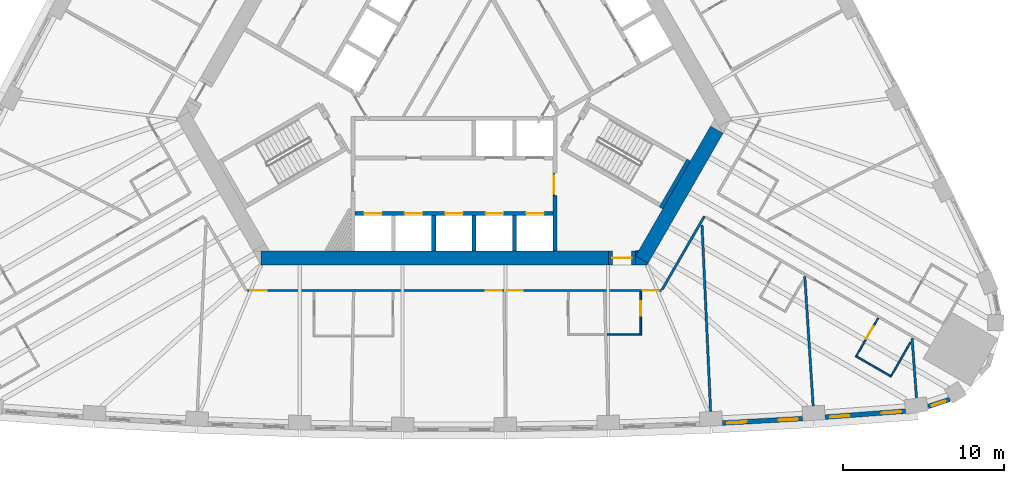
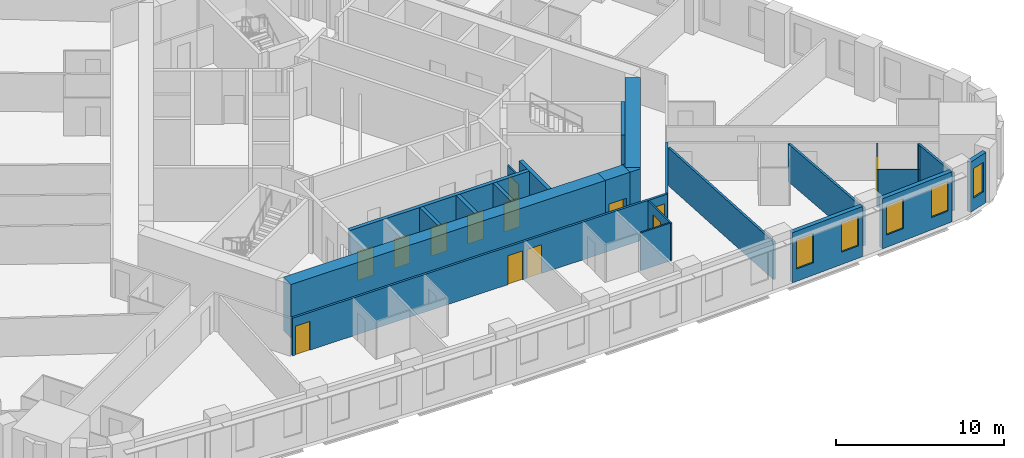
# One storey, part 6 of 12: 25 walls, 13 doors, 5 windows, 18 openings.
"""IFC4 building model written with IfcOpenShell, lengths in metres."""

from ifc_helpers import new_model, si_unit, direction, frame, frame_2d, origin, place, context, subcontext, project, spatial, polyline, rectangle, outline, extrude, material, layer, layer_set, type_object, element, fill, save


model = new_model("IFC4")

# Units and contexts
model_context = context("Model", 3, precision=1e-05, world=origin(), true_north=direction((0.0, 1.0)))
body_context = subcontext(model_context, "Body", "Model", "MODEL_VIEW")
ifc_project = project(units=[si_unit("LENGTHUNIT", "METRE"), si_unit("AREAUNIT", "SQUARE_METRE"), si_unit("VOLUMEUNIT", "CUBIC_METRE"), si_unit("PLANEANGLEUNIT", "RADIAN"), si_unit("MASSUNIT", "GRAM", prefix="KILO")], contexts=[model_context])

# Site, building, storey
site_placement = place(None, origin())
site = spatial("IfcSite", under=ifc_project, at=site_placement, CompositionType="ELEMENT")
building_placement = place(site_placement, origin())
building = spatial("IfcBuilding", under=site, at=building_placement, Name="Mestral Congress Tower", CompositionType="ELEMENT")
storey_placement = place(building_placement, frame((0.0, 0.0, 66.60009765625)))
storey = spatial("IfcBuildingStorey", under=building, at=storey_placement, Name="L15", CompositionType="ELEMENT", Elevation=66.60009765625)

# Wall, opening, door
ifc_material_1 = material(Name="Fire-rated board partition")
ifc_layer_1 = layer(ifc_material_1, 0.090087890625)
ifc_layer_set_1 = layer_set([ifc_layer_1], Name="Fire-rated board partition")
wall_type_1 = type_object("IfcWallType", Name="Core partition 150 door-wall 90", PredefinedType="PARTITIONING", material=ifc_layer_set_1)
wall_1_placement = place(storey_placement, frame((6.219970703125, -7.266357421875, 0.0), z_axis=(0.0, 0.0, 1.0), x_axis=(0.0, -1.0, 0.0)))
wall_1 = element("IfcWall", 1, at=wall_1_placement, inside=storey, type_object=wall_type_1, Name="L15 door wall", PredefinedType="PARTITIONING", context=body_context, shape_type="SweptSolid", body=[
    extrude(rectangle(XDim=1.400146484375, YDim=0.090087890625, at=frame_2d((0.7001953125, 0.0))), origin(), (0.0, 0.0, 1.0), 2.75),
])
opening_1_placement = place(wall_1_placement, frame((0.10009765625, 0.0, 0.0)))
opening_1 = element("IfcOpeningElement", 2, at=opening_1_placement, cuts=wall_1, Name="Opening LB0-WL1", PredefinedType="OPENING", context=body_context, shape_type="SweptSolid", body=[
    extrude(rectangle(XDim=1.199951171875, YDim=2.10009765625, at=frame_2d((0.60009765625, 1.050048828125))), frame((0.0, 0.054931640625, 0.0), z_axis=(0.0, -1.0, 0.0), x_axis=(1.0, 0.0, 0.0)), (0.0, 0.0, 1.0), 0.110107421875),
])
ifc_material_2 = material(Name="Fire-rated steel door set", Category="steel")
door_type_1 = type_object("IfcDoorType", Name="Core door LB 1200x2100", OperationType="SINGLE_SWING_LEFT", PredefinedType="DOOR", material=ifc_material_2)
door_1_placement = place(opening_1_placement, origin())
door_1 = element("IfcDoor", 3, at=door_1_placement, inside=storey, type_object=door_type_1, Name="Door LB0-WL1", OperationType="SINGLE_SWING_LEFT", OverallHeight=2.10009765625, OverallWidth=1.199951171875, PredefinedType="DOOR", context=body_context, shape_type="SweptSolid", body=[
    extrude(rectangle(XDim=1.199951171875, YDim=2.10009765625, at=frame_2d((0.60009765625, 1.050048828125))), frame((0.0, 0.02490234375, 0.0), z_axis=(0.0, -1.0, 0.0), x_axis=(1.0, 0.0, 0.0)), (0.0, 0.0, 1.0), 0.050048828125),
])
fill(opening_1, door_1)

# Walls
ifc_material_3 = material(Name="Concrete C60/75", Category="concrete")
ifc_layer_2 = layer(ifc_material_3, 0.89990234375)
ifc_layer_set_2 = layer_set([ifc_layer_2], Name="Concrete C60/75")
wall_type_2 = type_object("IfcWallType", Name="Core wall RC 900", PredefinedType="SOLIDWALL", material=ifc_layer_set_2)
wall_2_placement = place(storey_placement, frame((11.69482421875, -12.643798828125, 0.0), z_axis=(0.0, 0.0, 1.0), x_axis=(0.500010229568, 0.86601949766, 0.0)))
element("IfcWall", 4, at=wall_2_placement, inside=storey, type_object=wall_type_2, Name="L15 core wall", PredefinedType="SOLIDWALL", context=body_context, shape_type="SweptSolid", body=[
    extrude(rectangle(XDim=9.326416015625, YDim=0.89990234375, at=frame_2d((4.6630859375, 0.0))), origin(), (0.0, 0.0, 1.0), 3.89990234375),
])
placement = place(storey_placement, origin())
element("IfcWall", 5, at=placement, inside=storey, type_object=wall_type_2, Name="L15 core wall", PredefinedType="SOLIDWALL", context=body_context, shape_type="SweptSolid", body=[
    extrude(outline(polyline([(12.0087890625, -13.0), (11.31201171875, -13.0), (11.31201171875, -12.425048828125), (12.08349609375, -12.87060546875), (12.0087890625, -13.0)])), origin(), (0.0, 0.0, 1.0), 3.89990234375),
])
element("IfcWall", 6, at=placement, inside=storey, type_object=wall_type_2, Name="L15 core wall", PredefinedType="SOLIDWALL", context=body_context, shape_type="SweptSolid", body=[
    extrude(outline(polyline([(11.4892578125, -12.10009765625), (11.31201171875, -12.4072265625), (11.31201171875, -12.10009765625), (11.4892578125, -12.10009765625)])), origin(), (0.0, 0.0, 1.0), 3.89990234375),
])
wall_5_placement = place(storey_placement, frame((-12.0185546875, -12.550048828125, 0.0), z_axis=(0.0, 0.0, 1.0), x_axis=(1.0, 0.0, 0.0)))
element("IfcWall", 7, at=wall_5_placement, inside=storey, type_object=wall_type_2, Name="L15 core wall", PredefinedType="SOLIDWALL", context=body_context, shape_type="SweptSolid", body=[
    extrude(rectangle(XDim=21.63037109375, YDim=0.89990234375, at=frame_2d((10.815185546875, 0.0))), origin(), (0.0, 0.0, 1.0), 3.89990234375),
])

# Wall, opening, door
wall_6_placement = place(storey_placement, frame((11.311767578125, -12.550048828125, 0.0), z_axis=(0.0, 0.0, 1.0), x_axis=(-1.0, 0.0, 0.0)))
wall_6 = element("IfcWall", 8, at=wall_6_placement, inside=storey, type_object=wall_type_2, Name="L15 door wall", PredefinedType="SOLIDWALL", context=body_context, shape_type="SweptSolid", body=[
    extrude(rectangle(XDim=1.699951171875, YDim=0.89990234375, at=frame_2d((0.85009765625, 0.0))), origin(), (0.0, 0.0, 1.0), 3.89990234375),
])
opening_2_placement = place(wall_6_placement, frame((0.25, 0.0, 0.0)))
opening_2 = element("IfcOpeningElement", 9, at=opening_2_placement, cuts=wall_6, Name="Opening XD1", PredefinedType="OPENING", context=body_context, shape_type="SweptSolid", body=[
    extrude(rectangle(XDim=1.199951171875, YDim=2.10009765625, at=frame_2d((0.60009765625, 1.050048828125))), frame((0.0, 0.4599609375, 0.0), z_axis=(0.0, -1.0, 0.0), x_axis=(1.0, 0.0, 0.0)), (0.0, 0.0, 1.0), 0.919921875),
])
door_type_2 = type_object("IfcDoorType", Name="Core door XD 1200x2100", OperationType="SINGLE_SWING_LEFT", PredefinedType="DOOR", material=ifc_material_2)
door_2_placement = place(opening_2_placement, origin())
door_2 = element("IfcDoor", 10, at=door_2_placement, inside=storey, type_object=door_type_2, Name="Door XD1", OperationType="SINGLE_SWING_LEFT", OverallHeight=2.10009765625, OverallWidth=1.199951171875, PredefinedType="DOOR", context=body_context, shape_type="SweptSolid", body=[
    extrude(rectangle(XDim=1.199951171875, YDim=2.10009765625, at=frame_2d((0.60009765625, 1.050048828125))), frame((0.0, 0.02490234375, 0.0), z_axis=(0.0, -1.0, 0.0), x_axis=(1.0, 0.0, 0.0)), (0.0, 0.0, 1.0), 0.050048828125),
])
fill(opening_2, door_2)

# Wall, openings, windows
ifc_material_4 = material(Name="Precast concrete C40/50 with limestone facing", Category="masonry")
ifc_layer_3 = layer(ifc_material_4, 0.2900390625)
ifc_layer_set_3 = layer_set([ifc_layer_3], Name="Precast concrete C40/50 with limestone facing")
wall_type_3 = type_object("IfcWallType", Name="Facade stone wall 290", PredefinedType="SOLIDWALL", material=ifc_layer_set_3)
wall_7_placement = place(storey_placement, frame((16.7109375, -22.823974609375, 0.0), z_axis=(0.0, 0.0, 1.0), x_axis=(0.998464708705, 0.055391564976, 0.0)))
wall_7 = element("IfcWall", 11, at=wall_7_placement, inside=storey, type_object=wall_type_3, Name="Facade wall F0-07", PredefinedType="SOLIDWALL", context=body_context, shape_type="SweptSolid", body=[
    extrude(rectangle(XDim=4.998046875, YDim=0.2900390625, at=frame_2d((2.4990234375, 0.0))), origin(), (0.0, 0.0, 1.0), 3.64990234375),
])
opening_3_placement = place(wall_7_placement, frame((0.297119140625, 0.0, 0.89990234375)))
opening_3 = element("IfcOpeningElement", 12, at=opening_3_placement, cuts=wall_7, Name="Opening W1", PredefinedType="OPENING", context=body_context, shape_type="SweptSolid", body=[
    extrude(rectangle(XDim=1.199951171875, YDim=2.14990234375, at=frame_2d((0.60009765625, 1.074951171875))), frame((0.0, 0.155029296875, 0.0), z_axis=(0.0, -1.0, 0.0), x_axis=(1.0, 0.0, 0.0)), (0.0, 0.0, 1.0), 0.31005859375),
])
opening_4_placement = place(wall_7_placement, frame((3.501220703125, 0.0, 0.89990234375)))
opening_4 = element("IfcOpeningElement", 13, at=opening_4_placement, cuts=wall_7, Name="Opening W1", PredefinedType="OPENING", context=body_context, shape_type="SweptSolid", body=[
    extrude(rectangle(XDim=1.199951171875, YDim=2.14990234375, at=frame_2d((0.60009765625, 1.074951171875))), frame((0.0, 0.155029296875, 0.0), z_axis=(0.0, -1.0, 0.0), x_axis=(1.0, 0.0, 0.0)), (0.0, 0.0, 1.0), 0.31005859375),
])
ifc_material_5 = material(Name="Clear low-emissivity double glazing", Category="glass")
window_type_1 = type_object("IfcWindowType", Name="Facade punched window 1200 x 2150 sill 900", PartitioningType="DOUBLE_PANEL_VERTICAL", PredefinedType="WINDOW", material=ifc_material_5)
window_1_placement = place(opening_3_placement, origin())
window_1 = element("IfcWindow", 14, at=window_1_placement, inside=storey, type_object=window_type_1, Name="Window F0-07a", OverallHeight=2.14990234375, OverallWidth=1.199951171875, PartitioningType="DOUBLE_PANEL_VERTICAL", PredefinedType="WINDOW", context=body_context, shape_type="SweptSolid", body=[
    extrude(rectangle(XDim=1.199951171875, YDim=2.14990234375, at=frame_2d((0.60009765625, 1.074951171875))), frame((0.0, 0.01513671875, 0.0), z_axis=(0.0, -1.0, 0.0), x_axis=(1.0, 0.0, 0.0)), (0.0, 0.0, 1.0), 0.06005859375),
])
fill(opening_3, window_1)
window_2_placement = place(opening_4_placement, origin())
window_2 = element("IfcWindow", 15, at=window_2_placement, inside=storey, type_object=window_type_1, Name="Window F0-07b", OverallHeight=2.14990234375, OverallWidth=1.199951171875, PartitioningType="DOUBLE_PANEL_VERTICAL", PredefinedType="WINDOW", context=body_context, shape_type="SweptSolid", body=[
    extrude(rectangle(XDim=1.199951171875, YDim=2.14990234375, at=frame_2d((0.60009765625, 1.074951171875))), frame((0.0, 0.01513671875, 0.0), z_axis=(0.0, -1.0, 0.0), x_axis=(1.0, 0.0, 0.0)), (0.0, 0.0, 1.0), 0.06005859375),
])
fill(opening_4, window_2)

wall_8_placement = place(storey_placement, frame((23.10595703125, -22.4560546875, 0.0), z_axis=(0.0, 0.0, 1.0), x_axis=(0.997266290399, 0.073891447643, 0.0)))
wall_8 = element("IfcWall", 16, at=wall_8_placement, inside=storey, type_object=wall_type_3, Name="Facade wall F0-08", PredefinedType="SOLIDWALL", context=body_context, shape_type="SweptSolid", body=[
    extrude(rectangle(XDim=5.005615234375, YDim=0.2900390625, at=frame_2d((2.5029296875, 0.0))), origin(), (0.0, 0.0, 1.0), 3.64990234375),
])
opening_5_placement = place(wall_8_placement, frame((0.31005859375, 0.0, 0.89990234375)))
opening_5 = element("IfcOpeningElement", 17, at=opening_5_placement, cuts=wall_8, Name="Opening W1", PredefinedType="OPENING", context=body_context, shape_type="SweptSolid", body=[
    extrude(rectangle(XDim=1.199951171875, YDim=2.14990234375, at=frame_2d((0.60009765625, 1.074951171875))), frame((0.0, 0.155029296875, 0.0), z_axis=(0.0, -1.0, 0.0), x_axis=(1.0, 0.0, 0.0)), (0.0, 0.0, 1.0), 0.31005859375),
])
opening_6_placement = place(wall_8_placement, frame((3.540283203125, 0.0, 0.89990234375)))
opening_6 = element("IfcOpeningElement", 18, at=opening_6_placement, cuts=wall_8, Name="Opening W1", PredefinedType="OPENING", context=body_context, shape_type="SweptSolid", body=[
    extrude(rectangle(XDim=1.199951171875, YDim=2.14990234375, at=frame_2d((0.60009765625, 1.074951171875))), frame((0.0, 0.155029296875, 0.0), z_axis=(0.0, -1.0, 0.0), x_axis=(1.0, 0.0, 0.0)), (0.0, 0.0, 1.0), 0.31005859375),
])
window_3_placement = place(opening_5_placement, origin())
window_3 = element("IfcWindow", 19, at=window_3_placement, inside=storey, type_object=window_type_1, Name="Window F0-08a", OverallHeight=2.14990234375, OverallWidth=1.199951171875, PartitioningType="DOUBLE_PANEL_VERTICAL", PredefinedType="WINDOW", context=body_context, shape_type="SweptSolid", body=[
    extrude(rectangle(XDim=1.199951171875, YDim=2.14990234375, at=frame_2d((0.60009765625, 1.074951171875))), frame((0.0, 0.01513671875, 0.0), z_axis=(0.0, -1.0, 0.0), x_axis=(1.0, 0.0, 0.0)), (0.0, 0.0, 1.0), 0.06005859375),
])
fill(opening_5, window_3)
window_4_placement = place(opening_6_placement, origin())
window_4 = element("IfcWindow", 20, at=window_4_placement, inside=storey, type_object=window_type_1, Name="Window F0-08b", OverallHeight=2.14990234375, OverallWidth=1.199951171875, PartitioningType="DOUBLE_PANEL_VERTICAL", PredefinedType="WINDOW", context=body_context, shape_type="SweptSolid", body=[
    extrude(rectangle(XDim=1.199951171875, YDim=2.14990234375, at=frame_2d((0.60009765625, 1.074951171875))), frame((0.0, 0.01513671875, 0.0), z_axis=(0.0, -1.0, 0.0), x_axis=(1.0, 0.0, 0.0)), (0.0, 0.0, 1.0), 0.06005859375),
])
fill(opening_6, window_4)

# Wall, opening, window
wall_9_placement = place(storey_placement, frame((29.51171875, -21.80224609375, 0.0), z_axis=(0.0, 0.0, 1.0), x_axis=(0.947903891592, 0.318556450734, 0.0)))
wall_9 = element("IfcWall", 21, at=wall_9_placement, inside=storey, type_object=wall_type_3, Name="Facade wall K0-0", PredefinedType="SOLIDWALL", context=body_context, shape_type="SweptSolid", body=[
    extrude(rectangle(XDim=1.414794921875, YDim=0.2900390625, at=frame_2d((0.70751953125, 0.0))), origin(), (0.0, 0.0, 1.0), 3.64990234375),
])
opening_7_placement = place(wall_9_placement, frame((0.25732421875, 0.0, 0.89990234375)))
opening_7 = element("IfcOpeningElement", 22, at=opening_7_placement, cuts=wall_9, Name="Opening W3", PredefinedType="OPENING", context=body_context, shape_type="SweptSolid", body=[
    extrude(rectangle(XDim=0.89990234375, YDim=2.14990234375, at=frame_2d((0.449951171875, 1.074951171875))), frame((0.0, 0.155029296875, 0.0), z_axis=(0.0, -1.0, 0.0), x_axis=(1.0, 0.0, 0.0)), (0.0, 0.0, 1.0), 0.31005859375),
])
window_type_2 = type_object("IfcWindowType", Name="Facade punched window 900 x 2150 sill 900", PartitioningType="SINGLE_PANEL", PredefinedType="WINDOW", material=ifc_material_5)
window_5_placement = place(opening_7_placement, origin())
window_5 = element("IfcWindow", 23, at=window_5_placement, inside=storey, type_object=window_type_2, Name="Window K0-0", OverallHeight=2.14990234375, OverallWidth=0.89990234375, PartitioningType="SINGLE_PANEL", PredefinedType="WINDOW", context=body_context, shape_type="SweptSolid", body=[
    extrude(rectangle(XDim=0.89990234375, YDim=2.14990234375, at=frame_2d((0.449951171875, 1.074951171875))), frame((0.0, 0.01513671875, 0.0), z_axis=(0.0, -1.0, 0.0), x_axis=(1.0, 0.0, 0.0)), (0.0, 0.0, 1.0), 0.06005859375),
])
fill(opening_7, window_5)

# Wall, opening, door
ifc_material_6 = material(Name="Gypsum board partition on metal studs with mineral wool", Category="composite")
ifc_layer_4 = layer(ifc_material_6, 0.10009765625)
ifc_layer_set_4 = layer_set([ifc_layer_4], Name="Gypsum board partition on metal studs with mineral wool")
wall_type_4 = type_object("IfcWallType", Name="Hotel partition wall 100", PredefinedType="PARTITIONING", material=ifc_layer_set_4)
wall_10_placement = place(storey_placement, frame((11.626708984375, -17.35009765625, 0.0), z_axis=(0.0, 0.0, 1.0), x_axis=(0.0, 1.0, 0.0)))
wall_10 = element("IfcWall", 24, at=wall_10_placement, inside=storey, type_object=wall_type_4, Name="L15-h-pod05a", PredefinedType="PARTITIONING", context=body_context, shape_type="SweptSolid", body=[
    extrude(rectangle(XDim=2.7001953125, YDim=0.10009765625, at=frame_2d((1.35009765625, 0.0))), origin(), (0.0, 0.0, 1.0), 2.75),
])
opening_8_placement = place(wall_10_placement, frame((1.199951171875, 0.0, 0.0)))
opening_8 = element("IfcOpeningElement", 25, at=opening_8_placement, cuts=wall_10, Name="Opening H04-010", PredefinedType="OPENING", context=body_context, shape_type="SweptSolid", body=[
    extrude(rectangle(XDim=0.89990234375, YDim=2.10009765625, at=frame_2d((0.449951171875, 1.050048828125))), frame((0.0, 0.06005859375, 0.0), z_axis=(0.0, -1.0, 0.0), x_axis=(1.0, 0.0, 0.0)), (0.0, 0.0, 1.0), 0.1201171875),
])
ifc_material_7 = material(Name="Timber veneer door leaf in timber frame", Category="wood")
door_type_3 = type_object("IfcDoorType", Name="Bathroom door 900", OperationType="SINGLE_SWING_LEFT", PredefinedType="DOOR", material=ifc_material_7)
door_3_placement = place(opening_8_placement, origin())
door_3 = element("IfcDoor", 26, at=door_3_placement, inside=storey, type_object=door_type_3, Name="L15-h-d010", OperationType="SINGLE_SWING_LEFT", OverallHeight=2.10009765625, OverallWidth=0.89990234375, PredefinedType="DOOR", context=body_context, shape_type="SweptSolid", body=[
    extrude(rectangle(XDim=0.89990234375, YDim=2.10009765625, at=frame_2d((0.449951171875, 1.050048828125))), frame((0.0, 0.02490234375, 0.0), z_axis=(0.0, -1.0, 0.0), x_axis=(1.0, 0.0, 0.0)), (0.0, 0.0, 1.0), 0.050048828125),
])
fill(opening_8, door_3)

# Wall
wall_11_placement = place(storey_placement, frame((11.57666015625, -17.300048828125, 0.0), z_axis=(0.0, 0.0, 1.0), x_axis=(-1.0, 0.0, 0.0)))
element("IfcWall", 27, at=wall_11_placement, inside=storey, type_object=wall_type_4, Name="L15-h-pod05b", PredefinedType="PARTITIONING", context=body_context, shape_type="SweptSolid", body=[
    extrude(rectangle(XDim=2.050048828125, YDim=0.10009765625, at=frame_2d((1.02490234375, 0.0))), origin(), (0.0, 0.0, 1.0), 2.75),
])

# Wall, opening, door
wall_12_placement = place(storey_placement, frame((26.40478515625, -16.2841796875, 0.0), z_axis=(0.0, 0.0, 1.0), x_axis=(-0.49998411664, -0.866034573852, 0.0)))
wall_12 = element("IfcWall", 28, at=wall_12_placement, inside=storey, type_object=wall_type_4, Name="L15-h-pod07a", PredefinedType="PARTITIONING", context=body_context, shape_type="SweptSolid", body=[
    extrude(rectangle(XDim=2.7998046875, YDim=0.10009765625, at=frame_2d((1.39990234375, 0.0))), origin(), (0.0, 0.0, 1.0), 2.75),
])
opening_9_placement = place(wall_12_placement, frame((0.60009765625, 0.0, 0.0)))
opening_9 = element("IfcOpeningElement", 29, at=opening_9_placement, cuts=wall_12, Name="Opening H04-014", PredefinedType="OPENING", context=body_context, shape_type="SweptSolid", body=[
    extrude(rectangle(XDim=0.89990234375, YDim=2.10009765625, at=frame_2d((0.449951171875, 1.050048828125))), frame((0.0, 0.06005859375, 0.0), z_axis=(0.0, -1.0, 0.0), x_axis=(1.0, 0.0, 0.0)), (0.0, 0.0, 1.0), 0.1201171875),
])
door_4_placement = place(opening_9_placement, origin())
door_4 = element("IfcDoor", 30, at=door_4_placement, inside=storey, type_object=door_type_3, Name="L15-h-d014", OperationType="SINGLE_SWING_LEFT", OverallHeight=2.10009765625, OverallWidth=0.89990234375, PredefinedType="DOOR", context=body_context, shape_type="SweptSolid", body=[
    extrude(rectangle(XDim=0.89990234375, YDim=2.10009765625, at=frame_2d((0.449951171875, 1.050048828125))), frame((0.0, 0.02490234375, 0.0), z_axis=(0.0, -1.0, 0.0), x_axis=(1.0, 0.0, 0.0)), (0.0, 0.0, 1.0), 0.050048828125),
])
fill(opening_9, door_4)

# Walls
wall_13_placement = place(storey_placement, frame((25.0732421875, -18.690673828125, 0.0), z_axis=(0.0, 0.0, 1.0), x_axis=(0.866024647952, -0.500001309137, 0.0)))
element("IfcWall", 31, at=wall_13_placement, inside=storey, type_object=wall_type_4, Name="L15-h-pod07b", PredefinedType="PARTITIONING", context=body_context, shape_type="SweptSolid", body=[
    extrude(rectangle(XDim=2.39990234375, YDim=0.10009765625, at=frame_2d((1.199951171875, 0.0))), origin(), (0.0, 0.0, 1.0), 2.75),
])
wall_14_placement = place(storey_placement, frame((28.414794921875, -17.802490234375, 0.0), z_axis=(0.0, 0.0, 1.0), x_axis=(-0.499945955465, -0.866056604163, 0.0)))
element("IfcWall", 32, at=wall_14_placement, inside=storey, type_object=wall_type_4, Name="L15-h-pod07c", PredefinedType="PARTITIONING", context=body_context, shape_type="SweptSolid", body=[
    extrude(rectangle(XDim=2.489990234375, YDim=0.10009765625, at=frame_2d((1.2451171875, 0.0))), origin(), (0.0, 0.0, 1.0), 2.75),
])

# Wall, openings, doors
ifc_layer_5 = layer(ifc_material_6, 0.14990234375)
ifc_layer_set_5 = layer_set([ifc_layer_5], Name="Gypsum board partition on metal studs with mineral wool")
wall_type_5 = type_object("IfcWallType", Name="Hotel partition wall 150", PredefinedType="PARTITIONING", material=ifc_layer_set_5)
wall_15_placement = place(storey_placement, frame((12.918212890625, -14.574951171875, 0.0), z_axis=(0.0, 0.0, 1.0), x_axis=(-1.0, 0.0, 0.0)))
wall_15 = element("IfcWall", 33, at=wall_15_placement, inside=storey, type_object=wall_type_5, Name="L15-h-cw13", PredefinedType="PARTITIONING", context=body_context, shape_type="SweptSolid", body=[
    extrude(rectangle(XDim=25.766357421875, YDim=0.14990234375, at=frame_2d((12.88330078125, 0.0))), origin(), (0.0, 0.0, 1.0), 2.75),
])
opening_10_placement = place(wall_15_placement, frame((24.58642578125, 0.0, 0.0)))
opening_10 = element("IfcOpeningElement", 34, at=opening_10_placement, cuts=wall_15, Name="Opening H04-003", PredefinedType="OPENING", context=body_context, shape_type="SweptSolid", body=[
    extrude(rectangle(XDim=1.0, YDim=2.10009765625, at=frame_2d((0.5, 1.050048828125))), frame((0.0, 0.0849609375, 0.0), z_axis=(0.0, -1.0, 0.0), x_axis=(1.0, 0.0, 0.0)), (0.0, 0.0, 1.0), 0.169921875),
])
opening_11_placement = place(wall_15_placement, frame((9.947998046875, 0.0, 0.0)))
opening_11 = element("IfcOpeningElement", 35, at=opening_11_placement, cuts=wall_15, Name="Opening H04-005", PredefinedType="OPENING", context=body_context, shape_type="SweptSolid", body=[
    extrude(rectangle(XDim=1.0, YDim=2.10009765625, at=frame_2d((0.5, 1.050048828125))), frame((0.0, 0.0849609375, 0.0), z_axis=(0.0, -1.0, 0.0), x_axis=(1.0, 0.0, 0.0)), (0.0, 0.0, 1.0), 0.169921875),
])
opening_12_placement = place(wall_15_placement, frame((8.6416015625, 0.0, 0.0)))
opening_12 = element("IfcOpeningElement", 36, at=opening_12_placement, cuts=wall_15, Name="Opening H04-007", PredefinedType="OPENING", context=body_context, shape_type="SweptSolid", body=[
    extrude(rectangle(XDim=1.0, YDim=2.10009765625, at=frame_2d((0.5, 1.050048828125))), frame((0.0, 0.0849609375, 0.0), z_axis=(0.0, -1.0, 0.0), x_axis=(1.0, 0.0, 0.0)), (0.0, 0.0, 1.0), 0.169921875),
])
opening_13_placement = place(wall_15_placement, frame((0.179931640625, 0.0, 0.0)))
opening_13 = element("IfcOpeningElement", 37, at=opening_13_placement, cuts=wall_15, Name="Opening H04-009", PredefinedType="OPENING", context=body_context, shape_type="SweptSolid", body=[
    extrude(rectangle(XDim=1.0, YDim=2.10009765625, at=frame_2d((0.5, 1.050048828125))), frame((0.0, 0.0849609375, 0.0), z_axis=(0.0, -1.0, 0.0), x_axis=(1.0, 0.0, 0.0)), (0.0, 0.0, 1.0), 0.169921875),
])
ifc_material_8 = material(Name="Timber veneer door leaf in metal frame", Category="wood")
door_type_4 = type_object("IfcDoorType", Name="Guest room entrance door 1000", OperationType="SINGLE_SWING_LEFT", PredefinedType="DOOR", material=ifc_material_8)
door_5_placement = place(opening_10_placement, origin())
door_5 = element("IfcDoor", 38, at=door_5_placement, inside=storey, type_object=door_type_4, Name="L15-h-d003", OperationType="SINGLE_SWING_RIGHT", OverallHeight=2.10009765625, OverallWidth=1.0, PredefinedType="DOOR", context=body_context, shape_type="SweptSolid", body=[
    extrude(rectangle(XDim=1.0, YDim=2.10009765625, at=frame_2d((0.5, 1.050048828125))), frame((0.0, 0.02490234375, 0.0), z_axis=(0.0, -1.0, 0.0), x_axis=(1.0, 0.0, 0.0)), (0.0, 0.0, 1.0), 0.050048828125),
])
fill(opening_10, door_5)
door_6_placement = place(opening_11_placement, origin())
door_6 = element("IfcDoor", 39, at=door_6_placement, inside=storey, type_object=door_type_4, Name="L15-h-d005", OperationType="SINGLE_SWING_LEFT", OverallHeight=2.10009765625, OverallWidth=1.0, PredefinedType="DOOR", context=body_context, shape_type="SweptSolid", body=[
    extrude(rectangle(XDim=1.0, YDim=2.10009765625, at=frame_2d((0.5, 1.050048828125))), frame((0.0, 0.02490234375, 0.0), z_axis=(0.0, -1.0, 0.0), x_axis=(1.0, 0.0, 0.0)), (0.0, 0.0, 1.0), 0.050048828125),
])
fill(opening_11, door_6)
door_7_placement = place(opening_12_placement, origin())
door_7 = element("IfcDoor", 40, at=door_7_placement, inside=storey, type_object=door_type_4, Name="L15-h-d007", OperationType="SINGLE_SWING_RIGHT", OverallHeight=2.10009765625, OverallWidth=1.0, PredefinedType="DOOR", context=body_context, shape_type="SweptSolid", body=[
    extrude(rectangle(XDim=1.0, YDim=2.10009765625, at=frame_2d((0.5, 1.050048828125))), frame((0.0, 0.02490234375, 0.0), z_axis=(0.0, -1.0, 0.0), x_axis=(1.0, 0.0, 0.0)), (0.0, 0.0, 1.0), 0.050048828125),
])
fill(opening_12, door_7)
door_8_placement = place(opening_13_placement, origin())
door_8 = element("IfcDoor", 41, at=door_8_placement, inside=storey, type_object=door_type_4, Name="L15-h-d009", OperationType="SINGLE_SWING_LEFT", OverallHeight=2.10009765625, OverallWidth=1.0, PredefinedType="DOOR", context=body_context, shape_type="SweptSolid", body=[
    extrude(rectangle(XDim=1.0, YDim=2.10009765625, at=frame_2d((0.5, 1.050048828125))), frame((0.0, 0.02490234375, 0.0), z_axis=(0.0, -1.0, 0.0), x_axis=(1.0, 0.0, 0.0)), (0.0, 0.0, 1.0), 0.050048828125),
])
fill(opening_13, door_8)

# Walls
wall_16_placement = place(storey_placement, frame((15.58740234375, -9.951904296875, 0.0), z_axis=(0.0, 0.0, 1.0), x_axis=(-0.500016618951, -0.866015808616, 0.0)))
element("IfcWall", 42, at=wall_16_placement, inside=storey, type_object=wall_type_5, Name="L15-h-cw14", PredefinedType="PARTITIONING", context=body_context, shape_type="SweptSolid", body=[
    extrude(rectangle(XDim=5.268310546875, YDim=0.14990234375, at=frame_2d((2.63427734375, 0.0))), origin(), (0.0, 0.0, 1.0), 2.75),
])
wall_17_placement = place(storey_placement, frame((15.973388671875, -22.10888671875, 0.0), z_axis=(0.0, 0.0, 1.0), x_axis=(-0.046191717129, 0.998932592955, 0.0)))
element("IfcWall", 43, at=wall_17_placement, inside=storey, type_object=wall_type_5, Name="L15-h-pw20", PredefinedType="PARTITIONING", context=body_context, shape_type="SweptSolid", body=[
    extrude(rectangle(XDim=11.638427734375, YDim=0.14990234375, at=frame_2d((5.8193359375, 0.0))), origin(), (0.0, 0.0, 1.0), 2.75),
])
wall_18_placement = place(storey_placement, frame((22.355224609375, -21.75439453125, 0.0), z_axis=(0.0, 0.0, 1.0), x_axis=(-0.064639533143, 0.997908678565, 0.0)))
element("IfcWall", 44, at=wall_18_placement, inside=storey, type_object=wall_type_5, Name="L15-h-pw23", PredefinedType="PARTITIONING", context=body_context, shape_type="SweptSolid", body=[
    extrude(rectangle(XDim=8.078857421875, YDim=0.14990234375, at=frame_2d((4.03955078125, 0.0))), origin(), (0.0, 0.0, 1.0), 2.75),
])
wall_19_placement = place(storey_placement, frame((28.78955078125, -21.272705078125, 0.0), z_axis=(0.0, 0.0, 1.0), x_axis=(-0.07382592098, 0.997271143366, 0.0)))
element("IfcWall", 45, at=wall_19_placement, inside=storey, type_object=wall_type_5, Name="L15-h-pw24", PredefinedType="PARTITIONING", context=body_context, shape_type="SweptSolid", body=[
    extrude(rectangle(XDim=3.733642578125, YDim=0.14990234375, at=frame_2d((1.86669921875, 0.0))), origin(), (0.0, 0.0, 1.0), 2.75),
])
ifc_layer_6 = layer(ifc_material_3, 0.25)
ifc_layer_set_6 = layer_set([ifc_layer_6], Name="Concrete C60/75")
wall_type_6 = type_object("IfcWallType", Name="Shaft wall RC 250", PredefinedType="SOLIDWALL", material=ifc_layer_set_6)
wall_20_placement = place(storey_placement, frame((6.300048828125, -12.10009765625, 0.0), z_axis=(0.0, 0.0, 1.0), x_axis=(0.0, 1.0, 0.0)))
element("IfcWall", 46, at=wall_20_placement, inside=storey, type_object=wall_type_6, Name="L15 core wall", PredefinedType="SOLIDWALL", context=body_context, shape_type="SweptSolid", body=[
    extrude(rectangle(XDim=3.427978515625, YDim=0.25, at=frame_2d((1.7138671875, 0.0))), origin(), (0.0, 0.0, 1.0), 3.89990234375),
])
for number, where, z_axis, x_axis, name in (
    (47, (3.780029296875, -12.10009765625, 0.0), (0.0, 0.0, 1.0), (0.0, 1.0, 0.0), "L15 core wall"),
    (48, (1.260009765625, -12.10009765625, 0.0), (0.0, 0.0, 1.0), (0.0, 1.0, 0.0), "L15 core wall"),
    (49, (-1.260009765625, -12.10009765625, 0.0), (0.0, 0.0, 1.0), (0.0, 1.0, 0.0), "L15 core wall"),
):
    element("IfcWall", number, at=place(storey_placement, frame(where, z_axis=z_axis, x_axis=x_axis)), inside=storey, type_object=wall_type_6, Name=name, PredefinedType="SOLIDWALL", context=body_context, shape_type="SweptSolid", body=[
        extrude(rectangle(XDim=2.199951171875, YDim=0.25, at=frame_2d((1.10009765625, 0.0))), origin(), (0.0, 0.0, 1.0), 3.89990234375),
    ])

# Wall, openings, doors
wall_21_placement = place(storey_placement, frame((-6.175048828125, -9.77490234375, 0.0), z_axis=(0.0, 0.0, 1.0), x_axis=(1.0, 0.0, 0.0)))
wall_21 = element("IfcWall", 50, at=wall_21_placement, inside=storey, type_object=wall_type_6, Name="L15 door wall", PredefinedType="SOLIDWALL", context=body_context, shape_type="SweptSolid", body=[
    extrude(rectangle(XDim=12.35009765625, YDim=0.25, at=frame_2d((6.175048828125, 0.0))), origin(), (0.0, 0.0, 1.0), 3.89990234375),
])
opening_14_placement = place(wall_21_placement, frame((0.5849609375, 0.0, 0.0)))
opening_14 = element("IfcOpeningElement", 51, at=opening_14_placement, cuts=wall_21, Name="Opening LD-SOA1", PredefinedType="OPENING", context=body_context, shape_type="SweptSolid", body=[
    extrude(rectangle(XDim=1.10009765625, YDim=2.10009765625, at=frame_2d((0.550048828125, 1.050048828125))), frame((0.0, 0.135009765625, 0.0), z_axis=(0.0, -1.0, 0.0), x_axis=(1.0, 0.0, 0.0)), (0.0, 0.0, 1.0), 0.27001953125),
])
opening_15_placement = place(wall_21_placement, frame((3.10498046875, 0.0, 0.0)))
opening_15 = element("IfcOpeningElement", 52, at=opening_15_placement, cuts=wall_21, Name="Opening LD-SOA2", PredefinedType="OPENING", context=body_context, shape_type="SweptSolid", body=[
    extrude(rectangle(XDim=1.10009765625, YDim=2.10009765625, at=frame_2d((0.550048828125, 1.050048828125))), frame((0.0, 0.135009765625, 0.0), z_axis=(0.0, -1.0, 0.0), x_axis=(1.0, 0.0, 0.0)), (0.0, 0.0, 1.0), 0.27001953125),
])
opening_16_placement = place(wall_21_placement, frame((5.625, 0.0, 0.0)))
opening_16 = element("IfcOpeningElement", 53, at=opening_16_placement, cuts=wall_21, Name="Opening LD-SOA3", PredefinedType="OPENING", context=body_context, shape_type="SweptSolid", body=[
    extrude(rectangle(XDim=1.10009765625, YDim=2.10009765625, at=frame_2d((0.550048828125, 1.050048828125))), frame((0.0, 0.135009765625, 0.0), z_axis=(0.0, -1.0, 0.0), x_axis=(1.0, 0.0, 0.0)), (0.0, 0.0, 1.0), 0.27001953125),
])
opening_17_placement = place(wall_21_placement, frame((8.14501953125, 0.0, 0.0)))
opening_17 = element("IfcOpeningElement", 54, at=opening_17_placement, cuts=wall_21, Name="Opening LD-SOA4", PredefinedType="OPENING", context=body_context, shape_type="SweptSolid", body=[
    extrude(rectangle(XDim=1.10009765625, YDim=2.10009765625, at=frame_2d((0.550048828125, 1.050048828125))), frame((0.0, 0.135009765625, 0.0), z_axis=(0.0, -1.0, 0.0), x_axis=(1.0, 0.0, 0.0)), (0.0, 0.0, 1.0), 0.27001953125),
])
opening_18_placement = place(wall_21_placement, frame((10.6650390625, 0.0, 0.0)))
opening_18 = element("IfcOpeningElement", 55, at=opening_18_placement, cuts=wall_21, Name="Opening LD-SOA5", PredefinedType="OPENING", context=body_context, shape_type="SweptSolid", body=[
    extrude(rectangle(XDim=1.10009765625, YDim=2.10009765625, at=frame_2d((0.550048828125, 1.050048828125))), frame((0.0, 0.135009765625, 0.0), z_axis=(0.0, -1.0, 0.0), x_axis=(1.0, 0.0, 0.0)), (0.0, 0.0, 1.0), 0.27001953125),
])
door_type_5 = type_object("IfcDoorType", Name="Core door LD 1100x2100", OperationType="DOUBLE_DOOR_SLIDING", PredefinedType="DOOR", material=ifc_material_2)
door_9_placement = place(opening_14_placement, origin())
door_9 = element("IfcDoor", 56, at=door_9_placement, inside=storey, type_object=door_type_5, Name="Door LD-SOA1", OperationType="DOUBLE_DOOR_SLIDING", OverallHeight=2.10009765625, OverallWidth=1.10009765625, PredefinedType="DOOR", context=body_context, shape_type="SweptSolid", body=[
    extrude(rectangle(XDim=1.10009765625, YDim=2.10009765625, at=frame_2d((0.550048828125, 1.050048828125))), frame((0.0, 0.02490234375, 0.0), z_axis=(0.0, -1.0, 0.0), x_axis=(1.0, 0.0, 0.0)), (0.0, 0.0, 1.0), 0.050048828125),
])
fill(opening_14, door_9)
door_10_placement = place(opening_15_placement, origin())
door_10 = element("IfcDoor", 57, at=door_10_placement, inside=storey, type_object=door_type_5, Name="Door LD-SOA2", OperationType="DOUBLE_DOOR_SLIDING", OverallHeight=2.10009765625, OverallWidth=1.10009765625, PredefinedType="DOOR", context=body_context, shape_type="SweptSolid", body=[
    extrude(rectangle(XDim=1.10009765625, YDim=2.10009765625, at=frame_2d((0.550048828125, 1.050048828125))), frame((0.0, 0.02490234375, 0.0), z_axis=(0.0, -1.0, 0.0), x_axis=(1.0, 0.0, 0.0)), (0.0, 0.0, 1.0), 0.050048828125),
])
fill(opening_15, door_10)
door_11_placement = place(opening_16_placement, origin())
door_11 = element("IfcDoor", 58, at=door_11_placement, inside=storey, type_object=door_type_5, Name="Door LD-SOA3", OperationType="DOUBLE_DOOR_SLIDING", OverallHeight=2.10009765625, OverallWidth=1.10009765625, PredefinedType="DOOR", context=body_context, shape_type="SweptSolid", body=[
    extrude(rectangle(XDim=1.10009765625, YDim=2.10009765625, at=frame_2d((0.550048828125, 1.050048828125))), frame((0.0, 0.02490234375, 0.0), z_axis=(0.0, -1.0, 0.0), x_axis=(1.0, 0.0, 0.0)), (0.0, 0.0, 1.0), 0.050048828125),
])
fill(opening_16, door_11)
door_12_placement = place(opening_17_placement, origin())
door_12 = element("IfcDoor", 59, at=door_12_placement, inside=storey, type_object=door_type_5, Name="Door LD-SOA4", OperationType="DOUBLE_DOOR_SLIDING", OverallHeight=2.10009765625, OverallWidth=1.10009765625, PredefinedType="DOOR", context=body_context, shape_type="SweptSolid", body=[
    extrude(rectangle(XDim=1.10009765625, YDim=2.10009765625, at=frame_2d((0.550048828125, 1.050048828125))), frame((0.0, 0.02490234375, 0.0), z_axis=(0.0, -1.0, 0.0), x_axis=(1.0, 0.0, 0.0)), (0.0, 0.0, 1.0), 0.050048828125),
])
fill(opening_17, door_12)
door_13_placement = place(opening_18_placement, origin())
door_13 = element("IfcDoor", 60, at=door_13_placement, inside=storey, type_object=door_type_5, Name="Door LD-SOA5", OperationType="DOUBLE_DOOR_SLIDING", OverallHeight=2.10009765625, OverallWidth=1.10009765625, PredefinedType="DOOR", context=body_context, shape_type="SweptSolid", body=[
    extrude(rectangle(XDim=1.10009765625, YDim=2.10009765625, at=frame_2d((0.550048828125, 1.050048828125))), frame((0.0, 0.02490234375, 0.0), z_axis=(0.0, -1.0, 0.0), x_axis=(1.0, 0.0, 0.0)), (0.0, 0.0, 1.0), 0.050048828125),
])
fill(opening_18, door_13)

# Wall
ifc_layer_7 = layer(ifc_material_3, 0.25)
ifc_layer_set_7 = layer_set([ifc_layer_7], Name="Concrete C60/75")
wall_type_7 = type_object("IfcWallType", Name="Stair wall RC 250", PredefinedType="SOLIDWALL", material=ifc_layer_set_7)
wall_22_placement = place(storey_placement, frame((12.885498046875, -9.431396484375, 0.0), z_axis=(0.0, 0.0, 1.0), x_axis=(0.500020560727, 0.866013532718, 0.0)))
element("IfcWall", 61, at=wall_22_placement, inside=storey, type_object=wall_type_7, Name="L15 core wall", PredefinedType="SOLIDWALL", context=body_context, shape_type="SweptSolid", body=[
    extrude(rectangle(XDim=3.449951171875, YDim=0.25, at=frame_2d((1.72509765625, 0.0))), origin(), (0.0, 0.0, 1.0), 3.89990234375),
])

save(model, "model.ifc")
